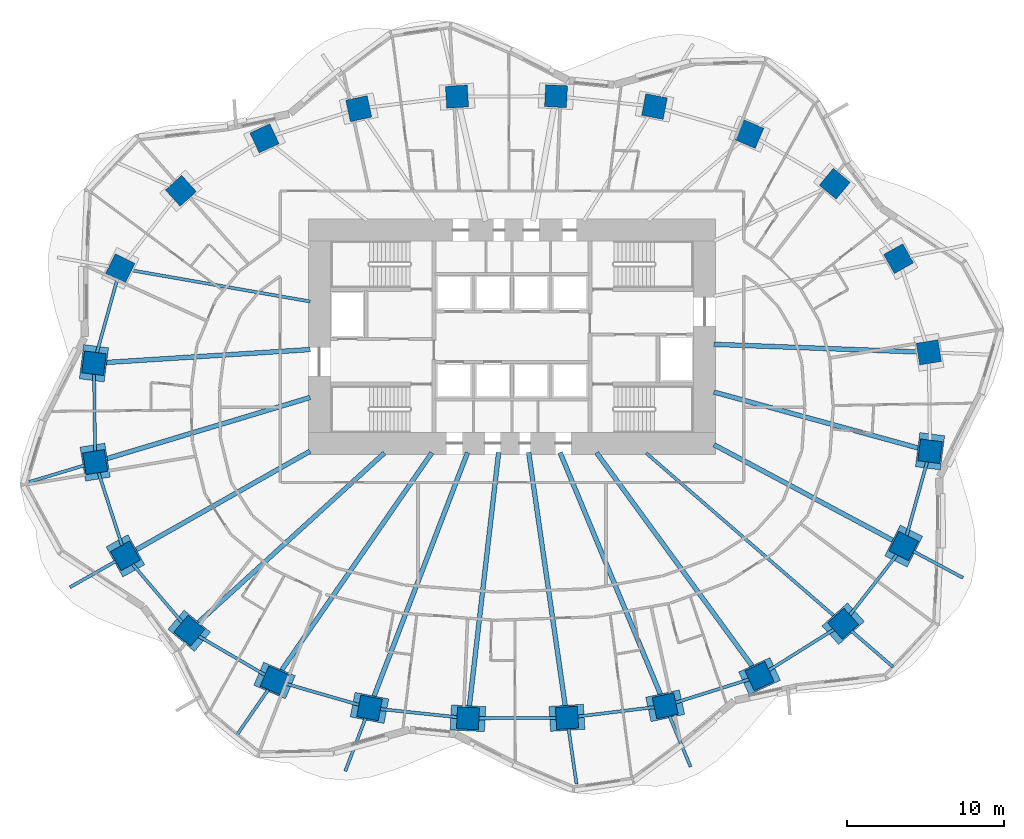
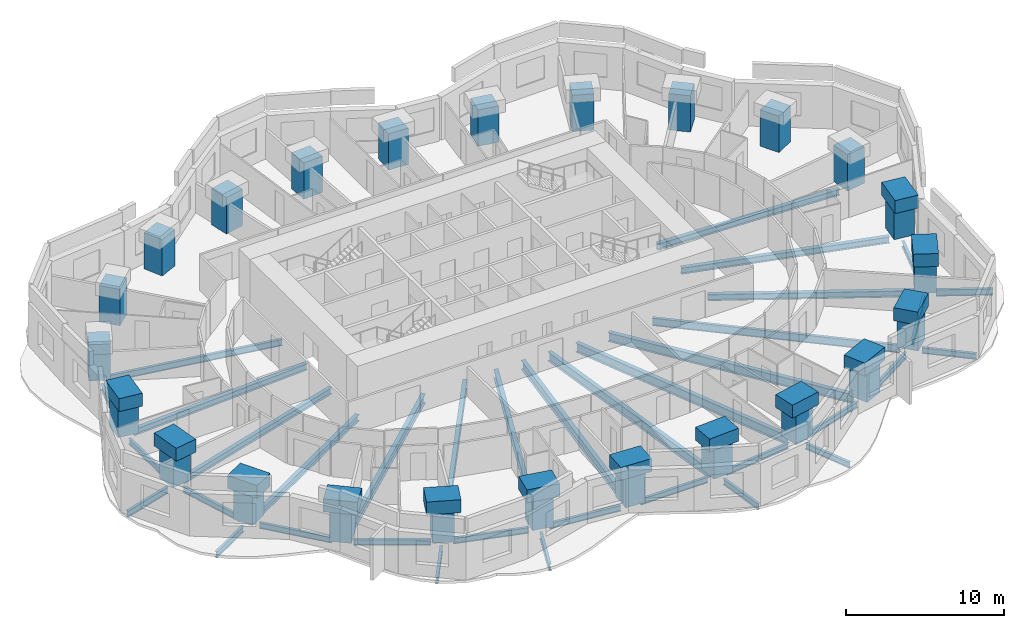
# One storey, part 1 of 12: 49 beams, 24 columns.
"""IFC4 building model written with IfcOpenShell, lengths in metres."""

from ifc_helpers import new_model, si_unit, direction, frame, origin, origin_2d, place, context, subcontext, project, spatial, rectangle, i_section, extrude, material, material_profile, profile_set, type_object, element, save


model = new_model("IFC4")

# Units and contexts
model_context = context("Model", 3, precision=1e-05, world=origin(), true_north=direction((0.0, 1.0)))
body_context = subcontext(model_context, "Body", "Model", "MODEL_VIEW")
ifc_project = project(units=[si_unit("LENGTHUNIT", "METRE"), si_unit("AREAUNIT", "SQUARE_METRE"), si_unit("VOLUMEUNIT", "CUBIC_METRE"), si_unit("PLANEANGLEUNIT", "RADIAN"), si_unit("MASSUNIT", "GRAM", prefix="KILO")], contexts=[model_context])

# Site, building, storey
site_placement = place(None, origin())
site = spatial("IfcSite", under=ifc_project, at=site_placement, CompositionType="ELEMENT")
building_placement = place(site_placement, origin())
building = spatial("IfcBuilding", under=site, at=building_placement, Name="Rubra Terraces Tower", CompositionType="ELEMENT")
storey_placement = place(building_placement, frame((0.0, 0.0, 73.5)))
storey = spatial("IfcBuildingStorey", under=building, at=storey_placement, Name="L16", CompositionType="ELEMENT", Elevation=73.5)

# Columns
ifc_material_1 = material(Name="Concrete C60", Category="concrete")
ifc_material_profile_1 = material_profile(ifc_material_1, rectangle(XDim=1.39990234375, YDim=1.39990234375, at=origin_2d()), Name="RC 1400x1400")
ifc_profile_set_1 = profile_set([ifc_material_profile_1], Name="Concrete C60")
column_type = type_object("IfcColumnType", Name="RING COLUMN RC 1400x1400 C60", PredefinedType="COLUMN", material=ifc_profile_set_1)
for number, where, z_axis, x_axis, name in (
    (1, (26.60498046875, 3.5029296875, 0.0), (0.0, 0.0, 1.0), (-0.161234051287, 0.986916197408, 0.0), "column-L16-ring-01"),
    (2, (24.676025390625, 9.48291015625, 0.0), (0.0, 0.0, 1.0), (-0.487226597714, 0.873275582208, 0.0), "column-L16-ring-02"),
    (3, (20.60009765625, 14.26611328125, 0.0), (0.0, 0.0, 1.0), (-0.767209547574, 0.641396531104, 0.0), "column-L16-ring-03"),
    (4, (15.156982421875, 17.44091796875, 0.0), (0.0, 0.0, 1.0), (-0.919293738002, 0.393572132232, 0.0), "column-L16-ring-04"),
    (5, (9.093994140625, 19.19189453125, 0.0), (0.0, 0.0, 1.0), (-0.981430410798, 0.191818530806, 0.0), "column-L16-ring-05"),
    (6, (2.81103515625, 19.85400390625, 0.0), (0.0, 0.0, 1.0), (-0.99874501614, 0.050083857035, 0.0), "column-L16-ring-06"),
    (7, (-3.509033203125, 19.823974609375, 0.0), (0.0, 0.0, 1.0), (-0.9980076013, -0.063093801177, 0.0), "column-L16-ring-07"),
    (8, (-9.780029296875, 19.05810546875, 0.0), (0.0, 0.0, 1.0), (-0.977386186482, -0.211462153764, 0.0), "column-L16-ring-08"),
    (9, (-15.799072265625, 17.1650390625, 0.0), (0.0, 0.0, 1.0), (-0.907952363445, -0.419073389413, 0.0), "column-L16-ring-09"),
    (10, (-21.135009765625, 13.81689453125, 0.0), (0.0, 0.0, 1.0), (-0.742675944539, -0.66965098477, 0.0), "column-L16-ring-10"),
    (11, (-25.0029296875, 8.865966796875, 0.0), (0.0, 0.0, 1.0), (-0.450098906028, -0.892978709036, 0.0), "column-L16-ring-11"),
    (12, (-26.68408203125, 2.80810546875, 0.0), (0.0, 0.0, 1.0), (-0.128444510405, -0.991716697322, 0.0), "column-L16-ring-12"),
    (13, (-26.60498046875, -3.5029296875, 0.0), (0.0, 0.0, 1.0), (0.161234051287, -0.986916197408, 0.0), "column-L16-ring-13"),
    (14, (-24.676025390625, -9.48291015625, 0.0), (0.0, 0.0, 1.0), (0.487226597714, -0.873275582208, 0.0), "column-L16-ring-14"),
    (15, (-20.60009765625, -14.26611328125, 0.0), (0.0, 0.0, 1.0), (0.767209547574, -0.641396531104, 0.0), "column-L16-ring-15"),
    (16, (-15.156982421875, -17.44091796875, 0.0), (0.0, 0.0, 1.0), (0.919293738002, -0.393572132232, 0.0), "column-L16-ring-16"),
    (17, (-9.093994140625, -19.19189453125, 0.0), (0.0, 0.0, 1.0), (0.981430410798, -0.191818530806, 0.0), "column-L16-ring-17"),
    (18, (-2.81103515625, -19.85400390625, 0.0), (0.0, 0.0, 1.0), (0.99874501614, -0.050083857035, 0.0), "column-L16-ring-18"),
    (19, (3.509033203125, -19.823974609375, 0.0), (0.0, 0.0, 1.0), (0.9980076013, 0.063093801177, 0.0), "column-L16-ring-19"),
    (20, (9.780029296875, -19.05810546875, 0.0), (0.0, 0.0, 1.0), (0.977386186482, 0.211462153764, 0.0), "column-L16-ring-20"),
    (21, (15.799072265625, -17.1650390625, 0.0), (0.0, 0.0, 1.0), (0.907952363445, 0.419073389413, 0.0), "column-L16-ring-21"),
    (22, (21.135009765625, -13.81689453125, 0.0), (0.0, 0.0, 1.0), (0.742675944539, 0.66965098477, 0.0), "column-L16-ring-22"),
    (23, (25.0029296875, -8.865966796875, 0.0), (0.0, 0.0, 1.0), (0.450098906028, 0.892978709036, 0.0), "column-L16-ring-23"),
    (24, (26.68408203125, -2.80810546875, 0.0), (0.0, 0.0, 1.0), (0.128444510405, 0.991716697322, 0.0), "column-L16-ring-24"),
):
    element("IfcColumn", number, at=place(storey_placement, frame(where, z_axis=z_axis, x_axis=x_axis)), inside=storey, type_object=column_type, Name=name, PredefinedType="COLUMN", context=body_context, shape_type="SweptSolid", body=[
        extrude(rectangle(XDim=1.39990234375, YDim=1.39990234375, at=origin_2d()), origin(), (0.0, 0.0, 1.0), 2.800048828125),
    ])

# Beams
ifc_material_2 = material(Name="Steel Q355B", Category="steel")
ifc_material_profile_2 = material_profile(ifc_material_2, i_section(OverallWidth=0.198974609375, OverallDepth=0.446044921875, WebThickness=0.008056640625, FlangeThickness=0.011962890625, at=origin_2d()), Name="HN 446x199x8x12")
ifc_profile_set_2 = profile_set([ifc_material_profile_2], Name="Steel Q355B")
beam_type_1 = type_object("IfcBeamType", Name="CANTILEVER BEAM HN 446x199x8x12", PredefinedType="BEAM", material=ifc_profile_set_2)
beam_1_placement = place(storey_placement, frame((-25.284912109375, -9.827880859375, -0.423095703125), z_axis=(-0.869963288166, -0.493116494596, 0.0), x_axis=(0.493116494596, -0.869963288166, 0.0)))
element("IfcBeam", 25, at=beam_1_placement, inside=storey, type_object=beam_type_1, Name="beam-L16-cant-14", PredefinedType="BEAM", context=body_context, shape_type="SweptSolid", body=[
    extrude(i_section(OverallWidth=0.198974609375, OverallDepth=0.446044921875, WebThickness=0.008056640625, FlangeThickness=0.011962890625, at=origin_2d()), origin(), (0.0, 0.0, 1.0), 3.378662109375),
])
beam_2_placement = place(storey_placement, frame((-15.56298828125, -18.029052734375, -0.423095703125), z_axis=(-0.568398748682, -0.822753220897, 0.0), x_axis=(0.822753220897, -0.568398748682, 0.0)))
element("IfcBeam", 26, at=beam_2_placement, inside=storey, type_object=beam_type_1, Name="beam-L16-cant-16", PredefinedType="BEAM", context=body_context, shape_type="SweptSolid", body=[
    extrude(i_section(OverallWidth=0.198974609375, OverallDepth=0.446044921875, WebThickness=0.008056640625, FlangeThickness=0.011962890625, at=origin_2d()), origin(), (0.0, 0.0, 1.0), 3.5380859375),
])
beam_3_placement = place(storey_placement, frame((3.60888671875, -20.51904296875, -0.423095703125), z_axis=(0.142763269487, -0.98975686352, 0.0), x_axis=(0.98975686352, 0.142763269487, 0.0)))
element("IfcBeam", 27, at=beam_3_placement, inside=storey, type_object=beam_type_1, Name="beam-L16-cant-19", PredefinedType="BEAM", context=body_context, shape_type="SweptSolid", body=[
    extrude(i_section(OverallWidth=0.198974609375, OverallDepth=0.446044921875, WebThickness=0.008056640625, FlangeThickness=0.011962890625, at=origin_2d()), origin(), (0.0, 0.0, 1.0), 3.565673828125),
])
beam_4_placement = place(storey_placement, frame((10.052978515625, -19.715087890625, -0.423095703125), z_axis=(0.383477452427, -0.923550238742, 0.0), x_axis=(0.923550238742, 0.383477452427, 0.0)))
element("IfcBeam", 28, at=beam_4_placement, inside=storey, type_object=beam_type_1, Name="beam-L16-cant-20", PredefinedType="BEAM", context=body_context, shape_type="SweptSolid", body=[
    extrude(i_section(OverallWidth=0.198974609375, OverallDepth=0.446044921875, WebThickness=0.008056640625, FlangeThickness=0.011962890625, at=origin_2d()), origin(), (0.0, 0.0, 1.0), 3.504638671875),
])
beam_5_placement = place(storey_placement, frame((21.66796875, -14.279052734375, -0.423095703125), z_axis=(0.755677597863, -0.654943790022, 0.0), x_axis=(0.654943790022, 0.755677597863, 0.0)))
element("IfcBeam", 29, at=beam_5_placement, inside=storey, type_object=beam_type_1, Name="beam-L16-cant-22", PredefinedType="BEAM", context=body_context, shape_type="SweptSolid", body=[
    extrude(i_section(OverallWidth=0.198974609375, OverallDepth=0.446044921875, WebThickness=0.008056640625, FlangeThickness=0.011962890625, at=origin_2d()), origin(), (0.0, 0.0, 1.0), 3.507080078125),
])
ifc_material_profile_3 = material_profile(ifc_material_2, i_section(OverallWidth=0.198974609375, OverallDepth=0.49609375, WebThickness=0.009033203125, FlangeThickness=0.013916015625, at=origin_2d()), Name="HN 496x199x9x14")
ifc_profile_set_3 = profile_set([ifc_material_profile_3], Name="Steel Q355B")
beam_type_2 = type_object("IfcBeamType", Name="CANTILEVER BEAM HN 496x199x9x14", PredefinedType="BEAM", material=ifc_profile_set_3)
beam_6_placement = place(storey_placement, frame((-27.281005859375, -3.7060546875, -0.447998046875), z_axis=(-0.957593698742, -0.28812203687, 0.0), x_axis=(0.28812203687, -0.957593698742, 0.0)))
element("IfcBeam", 30, at=beam_6_placement, inside=storey, type_object=beam_type_2, Name="beam-L16-cant-13", PredefinedType="BEAM", context=body_context, shape_type="SweptSolid", body=[
    extrude(i_section(OverallWidth=0.198974609375, OverallDepth=0.49609375, WebThickness=0.009033203125, FlangeThickness=0.013916015625, at=origin_2d()), origin(), (0.0, 0.0, 1.0), 3.702880859375),
])
beam_7_placement = place(storey_placement, frame((-9.34912109375, -19.85498046875, -0.447998046875), z_axis=(-0.358128312142, -0.933672379393, 0.0), x_axis=(0.933672379393, -0.358128312142, 0.0)))
element("IfcBeam", 31, at=beam_7_placement, inside=storey, type_object=beam_type_2, Name="beam-L16-cant-17", PredefinedType="BEAM", context=body_context, shape_type="SweptSolid", body=[
    extrude(i_section(OverallWidth=0.198974609375, OverallDepth=0.49609375, WebThickness=0.009033203125, FlangeThickness=0.013916015625, at=origin_2d()), origin(), (0.0, 0.0, 1.0), 3.61572265625),
])
beam_8_placement = place(storey_placement, frame((25.62109375, -9.196044921875, -0.447998046875), z_axis=(0.881859564895, -0.471512150219, 0.0), x_axis=(0.471512150219, 0.881859564895, 0.0)))
element("IfcBeam", 32, at=beam_8_placement, inside=storey, type_object=beam_type_2, Name="beam-L16-cant-23", PredefinedType="BEAM", context=body_context, shape_type="SweptSolid", body=[
    extrude(i_section(OverallWidth=0.198974609375, OverallDepth=0.49609375, WebThickness=0.009033203125, FlangeThickness=0.013916015625, at=origin_2d()), origin(), (0.0, 0.0, 1.0), 3.59228515625),
])
ifc_material_profile_4 = material_profile(ifc_material_2, i_section(OverallWidth=0.300048828125, OverallDepth=0.48193359375, WebThickness=0.010986328125, FlangeThickness=0.014892578125, at=origin_2d()), Name="HM 482x300x11x15")
ifc_profile_set_4 = profile_set([ifc_material_profile_4], Name="Steel Q355B")
beam_type_3 = type_object("IfcBeamType", Name="FLOOR BEAM HM 482x300x11x15", PredefinedType="BEAM", material=ifc_profile_set_4)
beam_9_placement = place(storey_placement, frame((25.89111328125, 3.530029296875, -0.44091796875), z_axis=(-0.999300088658, 0.037407657088, 0.0), x_axis=(-0.037407657088, -0.999300088658, 0.0)))
element("IfcBeam", 33, at=beam_9_placement, inside=storey, type_object=beam_type_3, Name="beam-L16-floor-01", PredefinedType="BEAM", context=body_context, shape_type="SweptSolid", body=[
    extrude(i_section(OverallWidth=0.300048828125, OverallDepth=0.48193359375, WebThickness=0.010986328125, FlangeThickness=0.014892578125, at=origin_2d()), origin(), (0.0, 0.0, 1.0), 13.020263671875),
])
beam_10_placement = place(storey_placement, frame((-25.971923828125, 2.85302734375, -0.44091796875), z_axis=(0.997996052936, 0.06327620662, 0.0), x_axis=(-0.06327620662, 0.997996052936, 0.0)))
element("IfcBeam", 34, at=beam_10_placement, inside=storey, type_object=beam_type_3, Name="beam-L16-floor-12", PredefinedType="BEAM", context=body_context, shape_type="SweptSolid", body=[
    extrude(i_section(OverallWidth=0.300048828125, OverallDepth=0.48193359375, WebThickness=0.010986328125, FlangeThickness=0.014892578125, at=origin_2d()), origin(), (0.0, 0.0, 1.0), 13.118408203125),
])
beam_11_placement = place(storey_placement, frame((-25.928955078125, -3.300048828125, -0.44091796875), z_axis=(0.957605991861, 0.288081176671, 0.0), x_axis=(-0.288081176671, 0.957605991861, 0.0)))
element("IfcBeam", 35, at=beam_11_placement, inside=storey, type_object=beam_type_3, Name="beam-L16-floor-13", PredefinedType="BEAM", context=body_context, shape_type="SweptSolid", body=[
    extrude(i_section(OverallWidth=0.300048828125, OverallDepth=0.48193359375, WebThickness=0.010986328125, FlangeThickness=0.014892578125, at=origin_2d()), origin(), (0.0, 0.0, 1.0), 13.621337890625),
])
beam_12_placement = place(storey_placement, frame((-24.06689453125, -9.137939453125, -0.44091796875), z_axis=(0.869992824144, 0.493064383157, 0.0), x_axis=(-0.493064383157, 0.869992824144, 0.0)))
element("IfcBeam", 36, at=beam_12_placement, inside=storey, type_object=beam_type_3, Name="beam-L16-floor-14", PredefinedType="BEAM", context=body_context, shape_type="SweptSolid", body=[
    extrude(i_section(OverallWidth=0.300048828125, OverallDepth=0.48193359375, WebThickness=0.010986328125, FlangeThickness=0.014892578125, at=origin_2d()), origin(), (0.0, 0.0, 1.0), 12.84033203125),
])
beam_13_placement = place(storey_placement, frame((24.385009765625, -8.535888671875, -0.44091796875), z_axis=(-0.881896613876, 0.471442851716, 0.0), x_axis=(-0.471442851716, -0.881896613876, 0.0)))
element("IfcBeam", 37, at=beam_13_placement, inside=storey, type_object=beam_type_3, Name="beam-L16-floor-23", PredefinedType="BEAM", context=body_context, shape_type="SweptSolid", body=[
    extrude(i_section(OverallWidth=0.300048828125, OverallDepth=0.48193359375, WebThickness=0.010986328125, FlangeThickness=0.014892578125, at=origin_2d()), origin(), (0.0, 0.0, 1.0), 13.02978515625),
])
beam_14_placement = place(storey_placement, frame((26.001953125, -2.62109375, -0.44091796875), z_axis=(-0.964494059772, 0.264104541167, 0.0), x_axis=(-0.264104541167, -0.964494059772, 0.0)))
element("IfcBeam", 38, at=beam_14_placement, inside=storey, type_object=beam_type_3, Name="beam-L16-floor-24", PredefinedType="BEAM", context=body_context, shape_type="SweptSolid", body=[
    extrude(i_section(OverallWidth=0.300048828125, OverallDepth=0.48193359375, WebThickness=0.010986328125, FlangeThickness=0.014892578125, at=origin_2d()), origin(), (0.0, 0.0, 1.0), 13.600830078125),
])
ifc_material_profile_5 = material_profile(ifc_material_2, i_section(OverallWidth=0.198974609375, OverallDepth=0.49609375, WebThickness=0.009033203125, FlangeThickness=0.013916015625, at=origin_2d()), Name="HN 496x199x9x14")
ifc_profile_set_5 = profile_set([ifc_material_profile_5], Name="Steel Q355B")
beam_type_4 = type_object("IfcBeamType", Name="FLOOR BEAM HN 496x199x9x14", PredefinedType="BEAM", material=ifc_profile_set_5)
beam_15_placement = place(storey_placement, frame((-24.282958984375, 8.739990234375, -0.447998046875), z_axis=(0.985091834527, -0.172029292701, 0.0), x_axis=(0.172029292701, 0.985091834527, 0.0)))
element("IfcBeam", 39, at=beam_15_placement, inside=storey, type_object=beam_type_4, Name="beam-L16-floor-11", PredefinedType="BEAM", context=body_context, shape_type="SweptSolid", body=[
    extrude(i_section(OverallWidth=0.198974609375, OverallDepth=0.49609375, WebThickness=0.009033203125, FlangeThickness=0.013916015625, at=origin_2d()), origin(), (0.0, 0.0, 1.0), 11.573486328125),
])
ifc_material_profile_6 = material_profile(ifc_material_2, i_section(OverallWidth=0.198974609375, OverallDepth=0.595947265625, WebThickness=0.010009765625, FlangeThickness=0.014892578125, at=origin_2d()), Name="HN 596x199x10x15")
ifc_profile_set_6 = profile_set([ifc_material_profile_6], Name="Steel Q355B")
beam_type_5 = type_object("IfcBeamType", Name="FLOOR BEAM HN 596x199x10x15", PredefinedType="BEAM", material=ifc_profile_set_6)
beam_16_placement = place(storey_placement, frame((20.60205078125, -13.35498046875, -0.498046875), z_axis=(-0.755682003913, 0.654938706263, 0.0), x_axis=(-0.654938706263, -0.755682003913, 0.0)))
element("IfcBeam", 40, at=beam_16_placement, inside=storey, type_object=beam_type_5, Name="beam-L16-floor-22", PredefinedType="BEAM", context=body_context, shape_type="SweptSolid", body=[
    extrude(i_section(OverallWidth=0.198974609375, OverallDepth=0.595947265625, WebThickness=0.010009765625, FlangeThickness=0.014892578125, at=origin_2d()), origin(), (0.0, 0.0, 1.0), 15.931396484375),
])
ifc_material_profile_7 = material_profile(ifc_material_2, i_section(OverallWidth=0.300048828125, OverallDepth=0.699951171875, WebThickness=0.012939453125, FlangeThickness=0.02392578125, at=origin_2d()), Name="HN 700x300x13x24")
ifc_profile_set_7 = profile_set([ifc_material_profile_7], Name="Steel Q355B")
beam_type_6 = type_object("IfcBeamType", Name="FLOOR BEAM HN 700x300x13x24", PredefinedType="BEAM", material=ifc_profile_set_7)
beam_17_placement = place(storey_placement, frame((-20.077880859375, -13.7900390625, -0.550048828125), z_axis=(0.739256734846, 0.673423700195, 0.0), x_axis=(-0.673423700195, 0.739256734846, 0.0)))
element("IfcBeam", 41, at=beam_17_placement, inside=storey, type_object=beam_type_6, Name="beam-L16-floor-15", PredefinedType="BEAM", context=body_context, shape_type="SweptSolid", body=[
    extrude(i_section(OverallWidth=0.300048828125, OverallDepth=0.699951171875, WebThickness=0.012939453125, FlangeThickness=0.02392578125, at=origin_2d()), origin(), (0.0, 0.0, 1.0), 16.14306640625),
])
beam_18_placement = place(storey_placement, frame((-14.7509765625, -16.85302734375, -0.550048828125), z_axis=(0.568362941886, 0.822777956858, 0.0), x_axis=(-0.822777956858, 0.568362941886, 0.0)))
element("IfcBeam", 42, at=beam_18_placement, inside=storey, type_object=beam_type_6, Name="beam-L16-floor-16", PredefinedType="BEAM", context=body_context, shape_type="SweptSolid", body=[
    extrude(i_section(OverallWidth=0.300048828125, OverallDepth=0.699951171875, WebThickness=0.012939453125, FlangeThickness=0.02392578125, at=origin_2d()), origin(), (0.0, 0.0, 1.0), 16.957275390625),
])
beam_19_placement = place(storey_placement, frame((-8.839111328125, -18.529052734375, -0.550048828125), z_axis=(0.358321803184, 0.933598139117, 0.0), x_axis=(-0.933598139117, 0.358321803184, 0.0)))
element("IfcBeam", 43, at=beam_19_placement, inside=storey, type_object=beam_type_6, Name="beam-L16-floor-17", PredefinedType="BEAM", context=body_context, shape_type="SweptSolid", body=[
    extrude(i_section(OverallWidth=0.300048828125, OverallDepth=0.699951171875, WebThickness=0.012939453125, FlangeThickness=0.02392578125, at=origin_2d()), origin(), (0.0, 0.0, 1.0), 16.753662109375),
])
beam_20_placement = place(storey_placement, frame((-2.73095703125, -19.156982421875, -0.550048828125), z_axis=(0.114679535872, 0.993402538779, 0.0), x_axis=(-0.993402538779, 0.114679535872, 0.0)))
element("IfcBeam", 44, at=beam_20_placement, inside=storey, type_object=beam_type_6, Name="beam-L16-floor-18", PredefinedType="BEAM", context=body_context, shape_type="SweptSolid", body=[
    extrude(i_section(OverallWidth=0.300048828125, OverallDepth=0.699951171875, WebThickness=0.012939453125, FlangeThickness=0.02392578125, at=origin_2d()), origin(), (0.0, 0.0, 1.0), 16.384033203125),
])
beam_21_placement = place(storey_placement, frame((3.408935546875, -19.12890625, -0.550048828125), z_axis=(-0.142787075711, 0.9897534294, 0.0), x_axis=(-0.9897534294, -0.142787075711, 0.0)))
element("IfcBeam", 45, at=beam_21_placement, inside=storey, type_object=beam_type_6, Name="beam-L16-floor-19", PredefinedType="BEAM", context=body_context, shape_type="SweptSolid", body=[
    extrude(i_section(OverallWidth=0.300048828125, OverallDepth=0.699951171875, WebThickness=0.012939453125, FlangeThickness=0.02392578125, at=origin_2d()), origin(), (0.0, 0.0, 1.0), 16.416015625),
])
beam_22_placement = place(storey_placement, frame((9.507080078125, -18.40087890625, -0.550048828125), z_axis=(-0.383379543301, 0.923590886582, 0.0), x_axis=(-0.923590886582, -0.383379543301, 0.0)))
element("IfcBeam", 46, at=beam_22_placement, inside=storey, type_object=beam_type_6, Name="beam-L16-floor-20", PredefinedType="BEAM", context=body_context, shape_type="SweptSolid", body=[
    extrude(i_section(OverallWidth=0.300048828125, OverallDepth=0.699951171875, WebThickness=0.012939453125, FlangeThickness=0.02392578125, at=origin_2d()), origin(), (0.0, 0.0, 1.0), 16.795166015625),
])
beam_23_placement = place(storey_placement, frame((15.3779296875, -16.587890625, -0.550048828125), z_axis=(-0.58919117553, 0.807993662523, 0.0), x_axis=(-0.807993662523, -0.58919117553, 0.0)))
element("IfcBeam", 47, at=beam_23_placement, inside=storey, type_object=beam_type_6, Name="beam-L16-floor-21", PredefinedType="BEAM", context=body_context, shape_type="SweptSolid", body=[
    extrude(i_section(OverallWidth=0.300048828125, OverallDepth=0.699951171875, WebThickness=0.012939453125, FlangeThickness=0.02392578125, at=origin_2d()), origin(), (0.0, 0.0, 1.0), 16.936767578125),
])
ifc_material_profile_8 = material_profile(ifc_material_2, i_section(OverallWidth=0.198974609375, OverallDepth=0.446044921875, WebThickness=0.008056640625, FlangeThickness=0.011962890625, at=origin_2d()), Name="HN 446x199x8x12")
ifc_profile_set_8 = profile_set([ifc_material_profile_8], Name="Steel Q355B")
beam_type_7 = type_object("IfcBeamType", Name="SPANDREL BEAM HN 446x199x8x12", PredefinedType="SPANDREL", material=ifc_profile_set_8)
beam_24_placement = place(storey_placement, frame((-25.194091796875, 8.177978515625, -0.423095703125), z_axis=(-0.267364386726, -0.96359549849, 0.0), x_axis=(0.96359549849, -0.267364386726, 0.0)))
element("IfcBeam", 48, at=beam_24_placement, inside=storey, type_object=beam_type_7, Name="beam-L16-spandrel-11", PredefinedType="SPANDREL", context=body_context, shape_type="SweptSolid", body=[
    extrude(i_section(OverallWidth=0.198974609375, OverallDepth=0.446044921875, WebThickness=0.008056640625, FlangeThickness=0.011962890625, at=origin_2d()), origin(), (0.0, 0.0, 1.0), 4.8662109375),
])
beam_25_placement = place(storey_placement, frame((-26.675048828125, 2.10107421875, -0.423095703125), z_axis=(0.012465372298, -0.999922304228, 0.0), x_axis=(0.999922304228, 0.012465372298, 0.0)))
element("IfcBeam", 49, at=beam_25_placement, inside=storey, type_object=beam_type_7, Name="beam-L16-spandrel-12", PredefinedType="SPANDREL", context=body_context, shape_type="SweptSolid", body=[
    extrude(i_section(OverallWidth=0.198974609375, OverallDepth=0.446044921875, WebThickness=0.008056640625, FlangeThickness=0.011962890625, at=origin_2d()), origin(), (0.0, 0.0, 1.0), 4.896484375),
])
beam_26_placement = place(storey_placement, frame((-26.387939453125, -4.177001953125, -0.423095703125), z_axis=(0.30706880261, -0.951687317591, 0.0), x_axis=(0.951687317591, 0.30706880261, 0.0)))
element("IfcBeam", 50, at=beam_26_placement, inside=storey, type_object=beam_type_7, Name="beam-L16-spandrel-13", PredefinedType="SPANDREL", context=body_context, shape_type="SweptSolid", body=[
    extrude(i_section(OverallWidth=0.198974609375, OverallDepth=0.446044921875, WebThickness=0.008056640625, FlangeThickness=0.011962890625, at=origin_2d()), origin(), (0.0, 0.0, 1.0), 4.86181640625),
])
beam_27_placement = place(storey_placement, frame((-24.212890625, -10.02587890625, -0.423095703125), z_axis=(0.648447050824, -0.761259760054, 0.0), x_axis=(0.761259760054, 0.648447050824, 0.0)))
element("IfcBeam", 51, at=beam_27_placement, inside=storey, type_object=beam_type_7, Name="beam-L16-spandrel-14", PredefinedType="SPANDREL", context=body_context, shape_type="SweptSolid", body=[
    extrude(i_section(OverallWidth=0.198974609375, OverallDepth=0.446044921875, WebThickness=0.008056640625, FlangeThickness=0.011962890625, at=origin_2d()), origin(), (0.0, 0.0, 1.0), 4.860595703125),
])
beam_28_placement = place(storey_placement, frame((-19.987060546875, -14.6240234375, -0.423095703125), z_axis=(0.863806081452, -0.503824427402, 0.0), x_axis=(0.503824427402, 0.863806081452, 0.0)))
element("IfcBeam", 52, at=beam_28_placement, inside=storey, type_object=beam_type_7, Name="beam-L16-spandrel-15", PredefinedType="SPANDREL", context=body_context, shape_type="SweptSolid", body=[
    extrude(i_section(OverallWidth=0.198974609375, OverallDepth=0.446044921875, WebThickness=0.008056640625, FlangeThickness=0.011962890625, at=origin_2d()), origin(), (0.0, 0.0, 1.0), 4.886474609375),
])
beam_29_placement = place(storey_placement, frame((-14.47900390625, -17.636962890625, -0.423095703125), z_axis=(0.960743980202, -0.277436487337, 0.0), x_axis=(0.277436487337, 0.960743980202, 0.0)))
element("IfcBeam", 53, at=beam_29_placement, inside=storey, type_object=beam_type_7, Name="beam-L16-spandrel-16", PredefinedType="SPANDREL", context=body_context, shape_type="SweptSolid", body=[
    extrude(i_section(OverallWidth=0.198974609375, OverallDepth=0.446044921875, WebThickness=0.008056640625, FlangeThickness=0.011962890625, at=origin_2d()), origin(), (0.0, 0.0, 1.0), 4.90234375),
])
beam_30_placement = place(storey_placement, frame((-8.39501953125, -19.26611328125, -0.423095703125), z_axis=(0.994495375694, -0.104780473964, 0.0), x_axis=(0.104780473964, 0.994495375694, 0.0)))
element("IfcBeam", 54, at=beam_30_placement, inside=storey, type_object=beam_type_7, Name="beam-L16-spandrel-17", PredefinedType="SPANDREL", context=body_context, shape_type="SweptSolid", body=[
    extrude(i_section(OverallWidth=0.198974609375, OverallDepth=0.446044921875, WebThickness=0.008056640625, FlangeThickness=0.011962890625, at=origin_2d()), origin(), (0.0, 0.0, 1.0), 4.9140625),
])
beam_31_placement = place(storey_placement, frame((-2.110107421875, -19.85107421875, -0.423095703125), z_axis=(0.999987924698, 0.004914311469, 0.0), x_axis=(-0.004914311469, 0.999987924698, 0.0)))
element("IfcBeam", 55, at=beam_31_placement, inside=storey, type_object=beam_type_7, Name="beam-L16-spandrel-18", PredefinedType="SPANDREL", context=body_context, shape_type="SweptSolid", body=[
    extrude(i_section(OverallWidth=0.198974609375, OverallDepth=0.446044921875, WebThickness=0.008056640625, FlangeThickness=0.011962890625, at=origin_2d()), origin(), (0.0, 0.0, 1.0), 4.918212890625),
])
beam_32_placement = place(storey_placement, frame((4.205078125, -19.739013671875, -0.423095703125), z_axis=(0.992616576014, 0.12129440639, 0.0), x_axis=(-0.12129440639, 0.992616576014, 0.0)))
element("IfcBeam", 56, at=beam_32_placement, inside=storey, type_object=beam_type_7, Name="beam-L16-spandrel-19", PredefinedType="SPANDREL", context=body_context, shape_type="SweptSolid", body=[
    extrude(i_section(OverallWidth=0.198974609375, OverallDepth=0.446044921875, WebThickness=0.008056640625, FlangeThickness=0.011962890625, at=origin_2d()), origin(), (0.0, 0.0, 1.0), 4.913330078125),
])
beam_33_placement = place(storey_placement, frame((10.450927734375, -18.846923828125, -0.423095703125), z_axis=(0.953954624663, 0.299950952796, 0.0), x_axis=(-0.299950952796, 0.953954624663, 0.0)))
element("IfcBeam", 57, at=beam_33_placement, inside=storey, type_object=beam_type_7, Name="beam-L16-spandrel-20", PredefinedType="SPANDREL", context=body_context, shape_type="SweptSolid", body=[
    extrude(i_section(OverallWidth=0.198974609375, OverallDepth=0.446044921875, WebThickness=0.008056640625, FlangeThickness=0.011962890625, at=origin_2d()), origin(), (0.0, 0.0, 1.0), 4.900634765625),
])
beam_34_placement = place(storey_placement, frame((16.39697265625, -16.7900390625, -0.423095703125), z_axis=(0.847078460197, 0.531467856291, 0.0), x_axis=(-0.531467856291, 0.847078460197, 0.0)))
element("IfcBeam", 58, at=beam_34_placement, inside=storey, type_object=beam_type_7, Name="beam-L16-spandrel-21", PredefinedType="SPANDREL", context=body_context, shape_type="SweptSolid", body=[
    extrude(i_section(OverallWidth=0.198974609375, OverallDepth=0.446044921875, WebThickness=0.008056640625, FlangeThickness=0.011962890625, at=origin_2d()), origin(), (0.0, 0.0, 1.0), 4.882568359375),
])
beam_35_placement = place(storey_placement, frame((21.572998046875, -13.257080078125, -0.423095703125), z_axis=(0.615577734286, 0.788076172112, 0.0), x_axis=(-0.788076172112, 0.615577734286, 0.0)))
element("IfcBeam", 59, at=beam_35_placement, inside=storey, type_object=beam_type_7, Name="beam-L16-spandrel-22", PredefinedType="SPANDREL", context=body_context, shape_type="SweptSolid", body=[
    extrude(i_section(OverallWidth=0.198974609375, OverallDepth=0.446044921875, WebThickness=0.008056640625, FlangeThickness=0.011962890625, at=origin_2d()), origin(), (0.0, 0.0, 1.0), 4.85888671875),
])
beam_36_placement = place(storey_placement, frame((25.194091796875, -8.177978515625, -0.423095703125), z_axis=(0.267364386726, 0.96359549849, 0.0), x_axis=(-0.96359549849, 0.267364386726, 0.0)))
element("IfcBeam", 60, at=beam_36_placement, inside=storey, type_object=beam_type_7, Name="beam-L16-spandrel-23", PredefinedType="SPANDREL", context=body_context, shape_type="SweptSolid", body=[
    extrude(i_section(OverallWidth=0.198974609375, OverallDepth=0.446044921875, WebThickness=0.008056640625, FlangeThickness=0.011962890625, at=origin_2d()), origin(), (0.0, 0.0, 1.0), 4.8662109375),
])
ifc_material_profile_9 = material_profile(ifc_material_1, rectangle(XDim=1.60009765625, YDim=1.0, at=origin_2d()), Name="RC 1600x1000")
ifc_profile_set_9 = profile_set([ifc_material_profile_9], Name="Concrete C60")
beam_type_8 = type_object("IfcBeamType", Name="TRANSFER NODE RC 1600x1000 C60", PredefinedType="BEAM", material=ifc_profile_set_9)
beam_37_placement = place(storey_placement, frame((-26.54296875, 3.89892578125, 2.800048828125), z_axis=(-0.128172037745, -0.991751949199, 0.0), x_axis=(0.991751949199, -0.128172037745, 0.0)))
element("IfcBeam", 61, at=beam_37_placement, inside=storey, type_object=beam_type_8, Name="node-L17-lo-12", PredefinedType="BEAM", context=body_context, shape_type="SweptSolid", body=[
    extrude(rectangle(XDim=1.60009765625, YDim=1.0, at=origin_2d()), origin(), (0.0, 0.0, 1.0), 2.199951171875),
])
beam_38_placement = place(storey_placement, frame((-26.781982421875, -2.4169921875, 2.800048828125), z_axis=(0.160854040423, -0.986978205271, 0.0), x_axis=(0.986978205271, 0.160854040423, 0.0)))
element("IfcBeam", 62, at=beam_38_placement, inside=storey, type_object=beam_type_8, Name="node-L17-lo-13", PredefinedType="BEAM", context=body_context, shape_type="SweptSolid", body=[
    extrude(rectangle(XDim=1.60009765625, YDim=1.0, at=origin_2d()), origin(), (0.0, 0.0, 1.0), 2.20068359375),
])
beam_39_placement = place(storey_placement, frame((-25.2119140625, -8.52197265625, 2.800048828125), z_axis=(0.487092722023, -0.87335026201, 0.0), x_axis=(0.87335026201, 0.487092722023, 0.0)))
element("IfcBeam", 63, at=beam_39_placement, inside=storey, type_object=beam_type_8, Name="node-L17-lo-14", PredefinedType="BEAM", context=body_context, shape_type="SweptSolid", body=[
    extrude(rectangle(XDim=1.60009765625, YDim=1.0, at=origin_2d()), origin(), (0.0, 0.0, 1.0), 2.200927734375),
])
beam_40_placement = place(storey_placement, frame((-21.444091796875, -13.56005859375, 2.800048828125), z_axis=(0.767056023532, -0.641580124976, 0.0), x_axis=(0.641580124976, 0.767056023532, 0.0)))
element("IfcBeam", 64, at=beam_40_placement, inside=storey, type_object=beam_type_8, Name="node-L17-lo-15", PredefinedType="BEAM", context=body_context, shape_type="SweptSolid", body=[
    extrude(rectangle(XDim=1.60009765625, YDim=1.0, at=origin_2d()), origin(), (0.0, 0.0, 1.0), 2.20068359375),
])
beam_41_placement = place(storey_placement, frame((-16.16796875, -17.008056640625, 2.800048828125), z_axis=(0.919242598949, -0.393691559825, 0.0), x_axis=(0.393691559825, 0.919242598949, 0.0)))
element("IfcBeam", 65, at=beam_41_placement, inside=storey, type_object=beam_type_8, Name="node-L17-lo-16", PredefinedType="BEAM", context=body_context, shape_type="SweptSolid", body=[
    extrude(rectangle(XDim=1.60009765625, YDim=1.0, at=origin_2d()), origin(), (0.0, 0.0, 1.0), 2.19970703125),
])
beam_42_placement = place(storey_placement, frame((-10.174072265625, -18.98095703125, 2.800048828125), z_axis=(0.981437158798, -0.191784001759, 0.0), x_axis=(0.191784001759, 0.981437158798, 0.0)))
element("IfcBeam", 66, at=beam_42_placement, inside=storey, type_object=beam_type_8, Name="node-L17-lo-17", PredefinedType="BEAM", context=body_context, shape_type="SweptSolid", body=[
    extrude(rectangle(XDim=1.60009765625, YDim=1.0, at=origin_2d()), origin(), (0.0, 0.0, 1.0), 2.200927734375),
])
beam_43_placement = place(storey_placement, frame((-3.909912109375, -19.799072265625, 2.800048828125), z_axis=(0.998753168682, -0.049921018095, 0.0), x_axis=(0.049921018095, 0.998753168682, 0.0)))
element("IfcBeam", 67, at=beam_43_placement, inside=storey, type_object=beam_type_8, Name="node-L17-lo-18", PredefinedType="BEAM", context=body_context, shape_type="SweptSolid", body=[
    extrude(rectangle(XDim=1.60009765625, YDim=1.0, at=origin_2d()), origin(), (0.0, 0.0, 1.0), 2.20068359375),
])
beam_44_placement = place(storey_placement, frame((2.410888671875, -19.89306640625, 2.800048828125), z_axis=(0.998026154285, 0.062799644616, 0.0), x_axis=(-0.062799644616, 0.998026154285, 0.0)))
element("IfcBeam", 68, at=beam_44_placement, inside=storey, type_object=beam_type_8, Name="node-L17-lo-19", PredefinedType="BEAM", context=body_context, shape_type="SweptSolid", body=[
    extrude(rectangle(XDim=1.60009765625, YDim=1.0, at=origin_2d()), origin(), (0.0, 0.0, 1.0), 2.200439453125),
])
beam_45_placement = place(storey_placement, frame((8.705078125, -19.291015625, 2.800048828125), z_axis=(0.977299400603, 0.211862883915, 0.0), x_axis=(-0.211862883915, 0.977299400603, 0.0)))
element("IfcBeam", 69, at=beam_45_placement, inside=storey, type_object=beam_type_8, Name="node-L17-lo-20", PredefinedType="BEAM", context=body_context, shape_type="SweptSolid", body=[
    extrude(rectangle(XDim=1.60009765625, YDim=1.0, at=origin_2d()), origin(), (0.0, 0.0, 1.0), 2.199951171875),
])
for number, where, z_axis, x_axis, name in (
    (70, (14.800048828125, -17.6259765625, 2.800048828125), (0.908011334397, 0.418945601012, 0.0), (-0.418945601012, 0.908011334397, 0.0), "node-L17-lo-21"),
    (71, (20.318115234375, -14.553955078125, 2.800048828125), (0.742510209104, 0.669834747812, 0.0), (-0.669834747812, 0.742510209104, 0.0), "node-L17-lo-22"),
):
    element("IfcBeam", number, at=place(storey_placement, frame(where, z_axis=z_axis, x_axis=x_axis)), inside=storey, type_object=beam_type_8, Name=name, PredefinedType="BEAM", context=body_context, shape_type="SweptSolid", body=[
        extrude(rectangle(XDim=1.60009765625, YDim=1.0, at=origin_2d()), origin(), (0.0, 0.0, 1.0), 2.200439453125),
    ])
beam_46_placement = place(storey_placement, frame((24.508056640625, -9.847900390625, 2.800048828125), z_axis=(0.450141834705, 0.89295706988, 0.0), x_axis=(-0.89295706988, 0.450141834705, 0.0)))
element("IfcBeam", 72, at=beam_46_placement, inside=storey, type_object=beam_type_8, Name="node-L17-lo-23", PredefinedType="BEAM", context=body_context, shape_type="SweptSolid", body=[
    extrude(rectangle(XDim=1.60009765625, YDim=1.0, at=origin_2d()), origin(), (0.0, 0.0, 1.0), 2.19921875),
])
beam_47_placement = place(storey_placement, frame((26.54296875, -3.89892578125, 2.800048828125), z_axis=(0.128172037745, 0.991751949199, 0.0), x_axis=(-0.991751949199, 0.128172037745, 0.0)))
element("IfcBeam", 73, at=beam_47_placement, inside=storey, type_object=beam_type_8, Name="node-L17-lo-24", PredefinedType="BEAM", context=body_context, shape_type="SweptSolid", body=[
    extrude(rectangle(XDim=1.60009765625, YDim=1.0, at=origin_2d()), origin(), (0.0, 0.0, 1.0), 2.199951171875),
])

save(model, "model.ifc")
